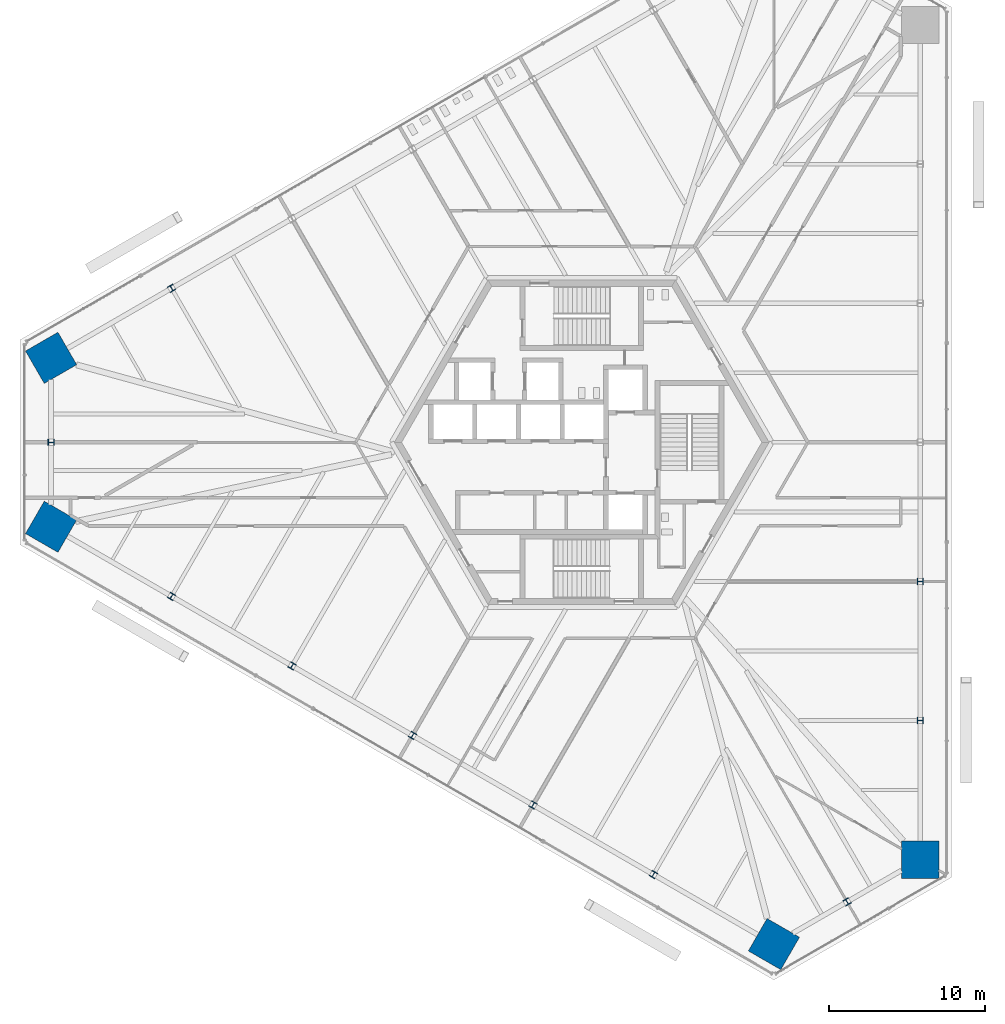
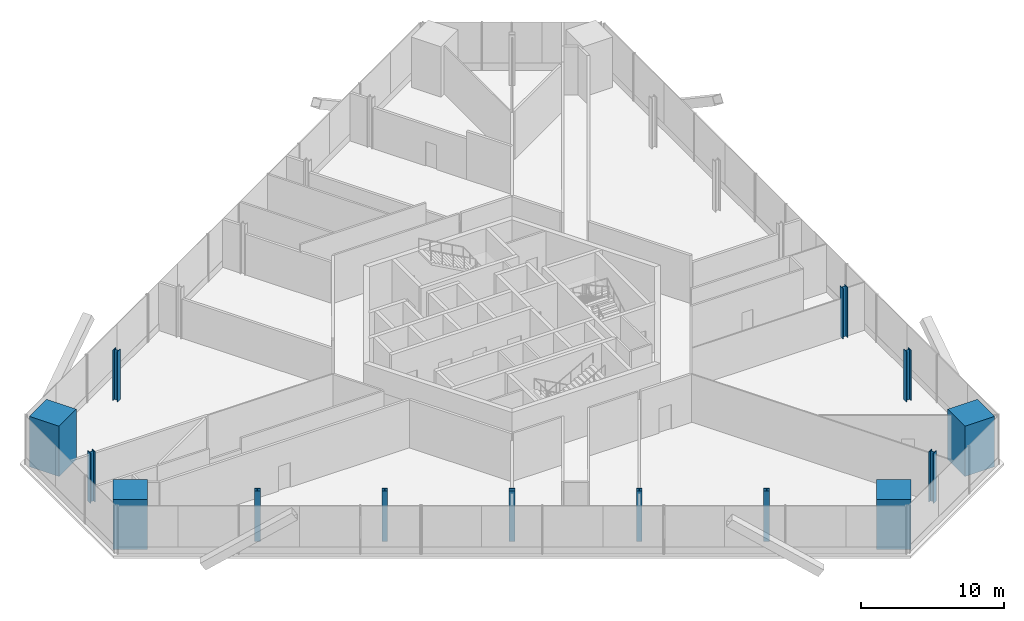
# One storey, part 1 of 16: 14 columns.
"""IFC4 building model written with IfcOpenShell, lengths in metres."""

from ifc_helpers import new_model, si_unit, direction, frame, origin, origin_2d, place, context, subcontext, project, spatial, rectangle, i_section, extrude, source, transform, mapped, material, material_profile, profile_set, type_object, element, save


model = new_model("IFC4")

# Units and contexts
model_context = context("Model", 3, precision=1e-05, world=origin(), true_north=direction((0.0, 1.0)))
body_context = subcontext(model_context, "Body", "Model", "MODEL_VIEW")
ifc_project = project(units=[si_unit("LENGTHUNIT", "METRE"), si_unit("AREAUNIT", "SQUARE_METRE"), si_unit("VOLUMEUNIT", "CUBIC_METRE"), si_unit("PLANEANGLEUNIT", "RADIAN"), si_unit("MASSUNIT", "GRAM", prefix="KILO")], contexts=[model_context])

# Site, building, storey
site_placement = place(None, origin())
site = spatial("IfcSite", under=ifc_project, at=site_placement, CompositionType="ELEMENT")
building_placement = place(site_placement, origin())
building = spatial("IfcBuilding", under=site, at=building_placement, Name="Triune Harvest Tower", CompositionType="ELEMENT")
storey_placement = place(building_placement, frame((0.0, 0.0, 20.300048828125)))
storey = spatial("IfcBuildingStorey", under=building, at=storey_placement, Name="L04", CompositionType="ELEMENT", Elevation=20.300048828125)

# Columns
ifc_material_1 = material(Name="Concrete 70 MPa", Category="concrete")
ifc_material_profile_1 = material_profile(ifc_material_1, rectangle(XDim=2.39990234375, YDim=2.39990234375, at=origin_2d()), Name="Composite 2400x2400")
ifc_profile_set_1 = profile_set([ifc_material_profile_1], Name="Concrete 70 MPa")
column_type_1 = type_object("IfcColumnType", Name="MC-1 Mega column Composite 2400x2400", PredefinedType="COLUMN", material=ifc_profile_set_1)
shared_shape_1 = source(origin(), body_context, "Body", "SweptSolid", [
    extrude(rectangle(XDim=2.39990234375, YDim=2.39990234375, at=origin_2d()), origin(), (0.0, 0.0, 1.0), 4.300048828125),
])
for number, where, z_axis, x_axis, name in (
    (1, (21.679443359375, -26.72998046875, 0.0), (0.0, 0.0, 1.0), (0.0, 1.0, 0.0), "col/L04/M0"),
    (2, (-33.988525390625, 5.409912109375, 0.0), (0.0, 0.0, 1.0), (-0.866025403784, -0.5, 0.0), "col/L04/M14"),
    (3, (-33.988525390625, -5.409912109375, 0.0), (0.0, 0.0, 1.0), (0.866025403784, -0.5, 0.0), "col/L04/M16"),
    (4, (12.30908203125, -32.139892578125, 0.0), (0.0, 0.0, 1.0), (0.866025403784, -0.5, 0.0), "col/L04/M22"),
):
    element("IfcColumn", number, at=place(storey_placement, frame(where, z_axis=z_axis, x_axis=x_axis)), inside=storey, type_object=column_type_1, Name=name, PredefinedType="COLUMN", context=body_context, shape_type="MappedRepresentation", body=[
        mapped(shared_shape_1, transform((0.0, 0.0, 0.0), scale=1.0)),
    ])
ifc_material_2 = material(Name="Steel ASTM A992 Gr 50", Category="steel")
ifc_material_profile_2 = material_profile(ifc_material_2, i_section(OverallWidth=0.40380859375, OverallDepth=0.406494140625, WebThickness=0.027099609375, FlangeThickness=0.043701171875, at=origin_2d()), Name="W14x233")
ifc_profile_set_2 = profile_set([ifc_material_profile_2], Name="Steel ASTM A992 Gr 50")
column_type_2 = type_object("IfcColumnType", Name="PC-1 Perimeter column W14x233", PredefinedType="COLUMN", material=ifc_profile_set_2)
shared_shape_2 = source(origin(), body_context, "Body", "SweptSolid", [
    extrude(i_section(OverallWidth=0.40380859375, OverallDepth=0.406494140625, WebThickness=0.027099609375, FlangeThickness=0.043701171875, at=origin_2d()), origin(), (0.0, 0.0, 1.0), 4.300048828125),
])
for number, where, z_axis, x_axis, name in (
    (5, (21.679443359375, -17.820068359375, 0.0), (0.0, 0.0, 1.0), (0.0, 1.0, 0.0), "col/L04/P1"),
    (6, (21.679443359375, -8.909912109375, 0.0), (0.0, 0.0, 1.0), (0.0, 1.0, 0.0), "col/L04/P2"),
    (7, (-26.272216796875, 9.864990234375, 0.0), (0.0, 0.0, 1.0), (-0.866025403784, -0.5, 0.0), "col/L04/P13"),
    (8, (-33.988525390625, 0.0, 0.0), (0.0, 0.0, 1.0), (0.0, -1.0, 0.0), "col/L04/P15"),
    (9, (-26.272216796875, -9.864990234375, 0.0), (0.0, 0.0, 1.0), (0.866025403784, -0.5, 0.0), "col/L04/P17"),
    (10, (-18.555908203125, -14.320068359375, 0.0), (0.0, 0.0, 1.0), (0.866025403784, -0.5, 0.0), "col/L04/P18"),
    (11, (-10.839599609375, -18.77490234375, 0.0), (0.0, 0.0, 1.0), (0.866025403784, -0.5, 0.0), "col/L04/P19"),
    (12, (-3.12353515625, -23.22998046875, 0.0), (0.0, 0.0, 1.0), (0.866025403784, -0.5, 0.0), "col/L04/P20"),
    (13, (4.5927734375, -27.68505859375, 0.0), (0.0, 0.0, 1.0), (0.866025403784, -0.5, 0.0), "col/L04/P21"),
    (14, (16.994384765625, -29.43505859375, 0.0), (0.0, 0.0, 1.0), (0.866026276448, 0.4999984885, 0.0), "col/L04/P23"),
):
    element("IfcColumn", number, at=place(storey_placement, frame(where, z_axis=z_axis, x_axis=x_axis)), inside=storey, type_object=column_type_2, Name=name, PredefinedType="COLUMN", context=body_context, shape_type="MappedRepresentation", body=[
        mapped(shared_shape_2, transform((0.0, 0.0, 0.0), scale=1.0)),
    ])

save(model, "model.ifc")
